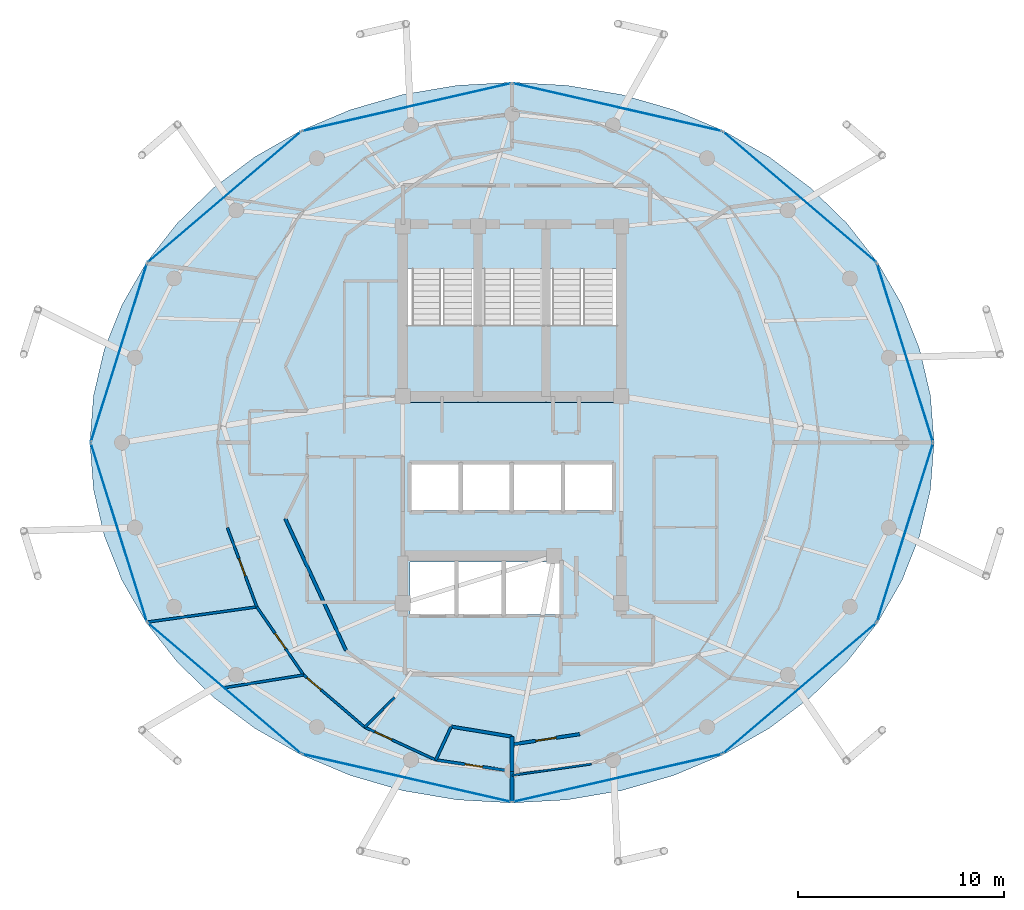
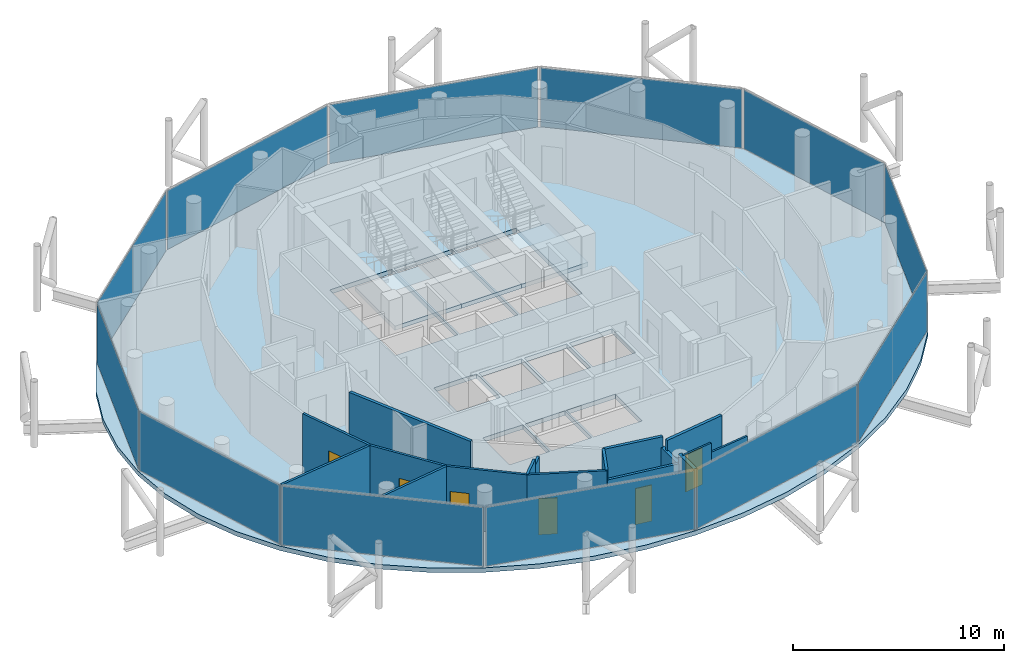
# One storey, part 19 of 24: 17 walls, 12 plates, 6 doors, 4 slabs, 6 openings, 15 elements without a shape of their own.
"""IFC4 building model written with IfcOpenShell, lengths in metres."""

import ifcopenshell
import ifcopenshell.guid

model = None  # the IFC model being written
_history = None  # IfcOwnerHistory: only IFC2X3 demands one
_inside = {}  # id of a spatial element -> (the spatial element, [elements in it])
_under = {}  # id of a project, library or spatial element -> (it, [spatial elements below it])
_declared = {}  # id of a project -> (the project, [libraries it declares])
_typed = {}  # id of a type object -> (the type object, [elements of that type])
_made_of = {}  # id of a material, layer set ... -> (it, [elements and type objects made of it])


def new_model(schema):
    """Start an empty IFC model of exactly this schema.

    Asked for "IFC4X3", IfcOpenShell would pick the latest addendum, in which some entities
    have other attributes; the version numbers below select the first issue.
    IFC2X3 requires an IfcOwnerHistory on every rooted entity: one is made here for all.
    """
    global model, _history
    if schema == "IFC4X3":
        model = ifcopenshell.file(schema_version=(4, 3, 0, 0))
    else:
        model = ifcopenshell.file(schema=schema)
    _inside.clear()
    _under.clear()
    _declared.clear()
    _typed.clear()
    _made_of.clear()
    _history = None
    if model.schema == "IFC2X3":
        org = make("IfcOrganization", Name="unknown")
        user = make(
            "IfcPersonAndOrganization",
            ThePerson=make("IfcPerson", FamilyName="unknown"),
            TheOrganization=org,
        )
        app = make(
            "IfcApplication",
            ApplicationDeveloper=org,
            Version="unknown",
            ApplicationFullName="unknown",
            ApplicationIdentifier="unknown",
        )
        _history = make(
            "IfcOwnerHistory",
            OwningUser=user,
            OwningApplication=app,
            ChangeAction="ADDED",
            CreationDate=0,
        )
    return model


def make(cls, **values):
    """One entity of the class cls with the attributes given. An attribute that is None is left unset."""
    return model.create_entity(
        cls, **{name: value for name, value in values.items() if value is not None}
    )


def rooted(cls, **values):
    """An entity with a GlobalId (a new one), such as an element, a storey or a relation."""
    return make(cls, GlobalId=ifcopenshell.guid.new(), OwnerHistory=_history, **values)


def si_unit(unit_type, name, prefix=None):
    """IfcSIUnit, for example si_unit("LENGTHUNIT", "METRE", prefix="MILLI")."""
    return make("IfcSIUnit", UnitType=unit_type, Prefix=prefix, Name=name)


def assignment(units):
    """IfcUnitAssignment: the units of a project."""
    return None if units is None else make("IfcUnitAssignment", Units=units)


def point(xyz):
    """IfcCartesianPoint."""
    return None if xyz is None else make("IfcCartesianPoint", Coordinates=xyz)


def direction(xyz):
    """IfcDirection."""
    return None if xyz is None else make("IfcDirection", DirectionRatios=xyz)


def frame(location, z_axis=None, x_axis=None):
    """IfcAxis2Placement3D, a coordinate frame: its origin and axes. An axis left out is left unset."""
    return make(
        "IfcAxis2Placement3D",
        Location=point(location),
        Axis=direction(z_axis),
        RefDirection=direction(x_axis),
    )


def frame_2d(location, x_axis=None):
    """IfcAxis2Placement2D, a coordinate frame in the plane: its origin and x axis."""
    return make(
        "IfcAxis2Placement2D", Location=point(location), RefDirection=direction(x_axis)
    )


def origin():
    """The frame at (0, 0, 0) with its axes left unset."""
    return frame((0.0, 0.0, 0.0))


def origin_2d():
    """The frame at (0, 0) in the plane with its x axis left unset."""
    return frame_2d((0.0, 0.0))


def place(relative_to, where):
    """IfcLocalPlacement: puts the frame where relative to a parent placement (None: the world)."""
    return make(
        "IfcLocalPlacement", PlacementRelTo=relative_to, RelativePlacement=where
    )


def context(
    kind, dimensions, precision=None, world=None, true_north=None, identifier=None
):
    """IfcGeometricRepresentationContext, for example the 3D "Model" context."""
    return make(
        "IfcGeometricRepresentationContext",
        ContextIdentifier=identifier,
        ContextType=kind,
        CoordinateSpaceDimension=dimensions,
        Precision=precision,
        WorldCoordinateSystem=world,
        TrueNorth=true_north,
    )


def subcontext(parent, identifier, kind, view, scale=None):
    """IfcGeometricRepresentationSubContext, for example "Body" below "Model"."""
    return make(
        "IfcGeometricRepresentationSubContext",
        ContextIdentifier=identifier,
        ContextType=kind,
        ParentContext=parent,
        TargetScale=scale,
        TargetView=view,
    )


def project(units=None, contexts=None):
    """IfcProject with its units and contexts."""
    return rooted(
        "IfcProject",
        Name="project",
        RepresentationContexts=contexts,
        UnitsInContext=assignment(units),
    )


def spatial(cls, under=None, at=None, **own):
    """A site, building, storey or space (cls), placed at a placement, below another one or the project."""
    s = rooted(cls, ObjectPlacement=at, **own)
    if under is not None:
        _under.setdefault(under.id(), (under, []))[1].append(s)
    return s


def polyline(points):
    """IfcPolyline through the points."""
    return make("IfcPolyline", Points=[point(p) for p in points])


def profile(cls, at=None, kind="AREA", **sizes):
    """A parametric profile (cls). Its sizes go by their IFC names, for example OverallWidth=200.0."""
    return make(cls, ProfileType=kind, Position=at, **sizes)


def rectangle(**sizes):
    """IfcRectangleProfileDef."""
    return profile("IfcRectangleProfileDef", **sizes)


def outline(outer, holes=None, kind="AREA"):
    """IfcArbitraryClosedProfileDef: a profile drawn as a closed curve; with holes, ...WithVoids."""
    if holes is None:
        return make("IfcArbitraryClosedProfileDef", ProfileType=kind, OuterCurve=outer)
    return make(
        "IfcArbitraryProfileDefWithVoids",
        ProfileType=kind,
        OuterCurve=outer,
        InnerCurves=holes,
    )


def extrude(swept, where, along, depth):
    """IfcExtrudedAreaSolid: the profile swept, set in the frame where, extruded along a direction by depth."""
    return make(
        "IfcExtrudedAreaSolid",
        SweptArea=swept,
        Position=where,
        ExtrudedDirection=direction(along),
        Depth=depth,
    )


def shape(context_of_items, identifier, shape_type, items):
    """IfcShapeRepresentation: the items that make up one representation, for example the "Body"."""
    return make(
        "IfcShapeRepresentation",
        ContextOfItems=context_of_items,
        RepresentationIdentifier=identifier,
        RepresentationType=shape_type,
        Items=items,
    )


def material(Name=None, Category=None):
    """IfcMaterial."""
    return make("IfcMaterial", Name=Name, Category=Category)


def layer(
    of_material, thickness, ventilated=None, Name=None, Category=None, Priority=None
):
    """IfcMaterialLayer: one layer of a wall or slab, of a material (None: an air gap)."""
    return make(
        "IfcMaterialLayer",
        Material=of_material,
        LayerThickness=thickness,
        IsVentilated=ventilated,
        Name=Name,
        Category=Category,
        Priority=Priority,
    )


def layer_set(layers, Name=None):
    """IfcMaterialLayerSet."""
    return make("IfcMaterialLayerSet", MaterialLayers=layers, LayerSetName=Name)


def made_of(thing, what):
    """Note that an element or type object is made of a material, layer set ...; save() writes the relation."""
    if what is not None:
        _made_of.setdefault(what.id(), (what, []))[1].append(thing)
    return thing


def type_object(cls, material=None, **own):
    """A type object (cls), such as IfcWallType, which elements share."""
    return made_of(rooted(cls, **own), material)


def element(
    cls,
    number,
    at=None,
    inside=None,
    cuts=None,
    type_object=None,
    material=None,
    context=None,
    identifier="Body",
    shape_type=None,
    held_by="IfcProductDefinitionShape",
    body=None,
    shapes=None,
    **own,
):
    """One element of the class cls, such as IfcWall. Its Tag is "e" and its number.

    at: its placement. inside: the storey or other place that contains it. cuts: it is an
    opening in that element (IfcRelVoidsElement). A single representation is given by context,
    identifier, shape_type and body (its items); several are given by shapes. held_by: the class
    of the entity that holds the representations. save() writes the other relations.
    """
    e = rooted(cls, Tag="e%d" % number, ObjectPlacement=at, **own)
    if body is not None:
        shapes = [shape(context, identifier, shape_type, body)]
    if shapes is not None:
        e.Representation = make(held_by, Representations=shapes)
    if inside is not None:
        _inside.setdefault(inside.id(), (inside, []))[1].append(e)
    if cuts is not None:
        rooted(
            "IfcRelVoidsElement", RelatingBuildingElement=cuts, RelatedOpeningElement=e
        )
    if type_object is not None:
        _typed.setdefault(type_object.id(), (type_object, []))[1].append(e)
    return made_of(e, material)


def fill(opening, filler):
    """IfcRelFillsElement: the door or window that sits in an opening."""
    return rooted(
        "IfcRelFillsElement",
        RelatingOpeningElement=opening,
        RelatedBuildingElement=filler,
    )


def aggregate(whole, parts):
    """IfcRelAggregates: a whole, such as a stair, and the parts it consists of."""
    return rooted("IfcRelAggregates", RelatingObject=whole, RelatedObjects=parts)


def save(model, path):
    """Write the relations noted so far, then the file.

    IfcRelAggregates (storeys below a building ...), IfcRelContainedInSpatialStructure (elements
    in a storey), IfcRelDefinesByType, IfcRelAssociatesMaterial and IfcRelDeclares: one each for
    every whole, place, type object, material and project.
    """
    for whole, parts in _under.values():
        aggregate(whole, parts)
    for where, things in _inside.values():
        rooted(
            "IfcRelContainedInSpatialStructure",
            RelatedElements=things,
            RelatingStructure=where,
        )
    for kind, things in _typed.values():
        rooted("IfcRelDefinesByType", RelatedObjects=things, RelatingType=kind)
    for what, things in _made_of.values():
        rooted("IfcRelAssociatesMaterial", RelatedObjects=things, RelatingMaterial=what)
    for by, libraries in _declared.values():
        rooted("IfcRelDeclares", RelatingContext=by, RelatedDefinitions=libraries)
    model.write(path)


model = new_model("IFC4")

# Units and contexts
model_context = context("Model", 3, precision=1e-05, world=origin(), true_north=direction((0.0, 1.0)))
body_context = subcontext(model_context, "Body", "Model", "MODEL_VIEW")
ifc_project = project(units=[si_unit("LENGTHUNIT", "METRE"), si_unit("AREAUNIT", "SQUARE_METRE"), si_unit("VOLUMEUNIT", "CUBIC_METRE"), si_unit("PLANEANGLEUNIT", "RADIAN"), si_unit("MASSUNIT", "GRAM", prefix="KILO")], contexts=[model_context])

# Site, building, storey
site_placement = place(None, origin())
site = spatial("IfcSite", under=ifc_project, at=site_placement, CompositionType="ELEMENT")
building_placement = place(site_placement, origin())
building = spatial("IfcBuilding", under=site, at=building_placement, Name="Nuhasar Tower", CompositionType="ELEMENT")
storey_placement = place(building_placement, frame((0.0, 0.0, 270.800048828125)))
storey = spatial("IfcBuildingStorey", under=building, at=storey_placement, Name="L67", CompositionType="ELEMENT", Elevation=270.800048828125)

# Curtain wall, plate
ifc_material_1 = material(Name="Aluminium 6063-T6", Category="aluminium")
ifc_layer_1 = layer(ifc_material_1, 0.18994140625)
ifc_layer_set_1 = layer_set([ifc_layer_1], Name="Aluminium 6063-T6")
curtain_wall_type = type_object("IfcCurtainWallType", Name="CW-Z4-PEN", PredefinedType="NOTDEFINED", material=ifc_layer_set_1)
curtain_wall_1_placement = place(storey_placement, origin())
curtain_wall_1 = element("IfcCurtainWall", 1, at=curtain_wall_1_placement, inside=storey, type_object=curtain_wall_type, Name="L67 Unitised Curtain Wall 01", PredefinedType="NOTDEFINED")
ifc_material_2 = material(Name="Glass Double Low-E", Category="glass")
ifc_layer_2 = layer(ifc_material_2, 0.028076171875)
ifc_layer_set_2 = layer_set([ifc_layer_2], Name="Glass Double Low-E")
plate_type = type_object("IfcPlateType", Name="CW-PANEL-GLZ", PredefinedType="CURTAIN_PANEL", material=ifc_layer_set_2)
plate_1_placement = place(storey_placement, frame((58.089599609375, 31.1650390625, 0.06005859375), z_axis=(0.0, 0.0, 1.0), x_axis=(-0.299556614146, 0.954078526601, 0.0)))
plate_1 = element("IfcPlate", 2, at=plate_1_placement, type_object=plate_type, Name="CW-Z4 panel 1.1", PredefinedType="CURTAIN_PANEL", context=body_context, shape_type="SweptSolid", body=[
    extrude(rectangle(XDim=9.0302734375, YDim=0.028076171875, at=origin_2d()), origin(), (0.0, 0.0, 1.0), 3.419921875),
])
aggregate(curtain_wall_1, [plate_1])

curtain_wall_2_placement = place(storey_placement, origin())
curtain_wall_2 = element("IfcCurtainWall", 3, at=curtain_wall_2_placement, inside=storey, type_object=curtain_wall_type, Name="L67 Unitised Curtain Wall 02", PredefinedType="NOTDEFINED")
plate_2_placement = place(storey_placement, frame((52.974609375, 38.7255859375, 0.06005859375), z_axis=(0.0, 0.0, 1.0), x_axis=(-0.760667252327, 0.649141996205, 0.0)))
plate_2 = element("IfcPlate", 4, at=plate_2_placement, type_object=plate_type, Name="CW-Z4 panel 1.1", PredefinedType="CURTAIN_PANEL", context=body_context, shape_type="SweptSolid", body=[
    extrude(rectangle(XDim=9.725341796875, YDim=0.028076171875, at=origin_2d()), origin(), (0.0, 0.0, 1.0), 3.419921875),
])
aggregate(curtain_wall_2, [plate_2])

curtain_wall_3_placement = place(storey_placement, origin())
curtain_wall_3 = element("IfcCurtainWall", 5, at=curtain_wall_3_placement, inside=storey, type_object=curtain_wall_type, Name="L67 Unitised Curtain Wall 03", PredefinedType="NOTDEFINED")
plate_3_placement = place(storey_placement, frame((44.114990234375, 43.090576171875, 0.06005859375), z_axis=(0.0, 0.0, 1.0), x_axis=(-0.97484371891, 0.222889487645, 0.0)))
plate_3 = element("IfcPlate", 6, at=plate_3_placement, type_object=plate_type, Name="CW-Z4 panel 1.1", PredefinedType="CURTAIN_PANEL", context=body_context, shape_type="SweptSolid", body=[
    extrude(rectangle(XDim=10.3740234375, YDim=0.028076171875, at=origin_2d()), origin(), (0.0, 0.0, 1.0), 3.419921875),
])
aggregate(curtain_wall_3, [plate_3])

curtain_wall_4_placement = place(storey_placement, origin())
curtain_wall_4 = element("IfcCurtainWall", 7, at=curtain_wall_4_placement, inside=storey, type_object=curtain_wall_type, Name="L67 Unitised Curtain Wall 04", PredefinedType="NOTDEFINED")
plate_4_placement = place(storey_placement, frame((33.885009765625, 43.090576171875, 0.06005859375), z_axis=(0.0, 0.0, 1.0), x_axis=(-0.97484371891, -0.222889487645, 0.0)))
plate_4 = element("IfcPlate", 8, at=plate_4_placement, type_object=plate_type, Name="CW-Z4 panel 1.1", PredefinedType="CURTAIN_PANEL", context=body_context, shape_type="SweptSolid", body=[
    extrude(rectangle(XDim=10.3740234375, YDim=0.028076171875, at=origin_2d()), origin(), (0.0, 0.0, 1.0), 3.419921875),
])
aggregate(curtain_wall_4, [plate_4])

curtain_wall_5_placement = place(storey_placement, origin())
curtain_wall_5 = element("IfcCurtainWall", 9, at=curtain_wall_5_placement, inside=storey, type_object=curtain_wall_type, Name="L67 Unitised Curtain Wall 05", PredefinedType="NOTDEFINED")
plate_5_placement = place(storey_placement, frame((25.025390625, 38.7255859375, 0.06005859375), z_axis=(0.0, 0.0, 1.0), x_axis=(-0.760667252327, -0.649141996205, 0.0)))
plate_5 = element("IfcPlate", 10, at=plate_5_placement, type_object=plate_type, Name="CW-Z4 panel 1.1", PredefinedType="CURTAIN_PANEL", context=body_context, shape_type="SweptSolid", body=[
    extrude(rectangle(XDim=9.725341796875, YDim=0.028076171875, at=origin_2d()), origin(), (0.0, 0.0, 1.0), 3.419921875),
])
aggregate(curtain_wall_5, [plate_5])

curtain_wall_6_placement = place(storey_placement, origin())
curtain_wall_6 = element("IfcCurtainWall", 11, at=curtain_wall_6_placement, inside=storey, type_object=curtain_wall_type, Name="L67 Unitised Curtain Wall 06", PredefinedType="NOTDEFINED")
plate_6_placement = place(storey_placement, frame((19.910400390625, 31.1650390625, 0.06005859375), z_axis=(0.0, 0.0, 1.0), x_axis=(-0.299556614146, -0.954078526601, 0.0)))
plate_6 = element("IfcPlate", 12, at=plate_6_placement, type_object=plate_type, Name="CW-Z4 panel 1.1", PredefinedType="CURTAIN_PANEL", context=body_context, shape_type="SweptSolid", body=[
    extrude(rectangle(XDim=9.0302734375, YDim=0.028076171875, at=origin_2d()), origin(), (0.0, 0.0, 1.0), 3.419921875),
])
aggregate(curtain_wall_6, [plate_6])

curtain_wall_7_placement = place(storey_placement, origin())
curtain_wall_7 = element("IfcCurtainWall", 13, at=curtain_wall_7_placement, inside=storey, type_object=curtain_wall_type, Name="L67 Unitised Curtain Wall 07", PredefinedType="NOTDEFINED")
plate_7_placement = place(storey_placement, frame((19.910400390625, 22.43505859375, 0.06005859375), z_axis=(0.0, 0.0, 1.0), x_axis=(0.299556614146, -0.954078526601, 0.0)))
plate_7 = element("IfcPlate", 14, at=plate_7_placement, type_object=plate_type, Name="CW-Z4 panel 1.1", PredefinedType="CURTAIN_PANEL", context=body_context, shape_type="SweptSolid", body=[
    extrude(rectangle(XDim=9.0302734375, YDim=0.028076171875, at=origin_2d()), origin(), (0.0, 0.0, 1.0), 3.419921875),
])
aggregate(curtain_wall_7, [plate_7])

curtain_wall_8_placement = place(storey_placement, origin())
curtain_wall_8 = element("IfcCurtainWall", 15, at=curtain_wall_8_placement, inside=storey, type_object=curtain_wall_type, Name="L67 Unitised Curtain Wall 08", PredefinedType="NOTDEFINED")
plate_8_placement = place(storey_placement, frame((25.025390625, 14.87451171875, 0.06005859375), z_axis=(0.0, 0.0, 1.0), x_axis=(0.760667252327, -0.649141996205, 0.0)))
plate_8 = element("IfcPlate", 16, at=plate_8_placement, type_object=plate_type, Name="CW-Z4 panel 1.1", PredefinedType="CURTAIN_PANEL", context=body_context, shape_type="SweptSolid", body=[
    extrude(rectangle(XDim=9.725341796875, YDim=0.028076171875, at=origin_2d()), origin(), (0.0, 0.0, 1.0), 3.419921875),
])
aggregate(curtain_wall_8, [plate_8])

curtain_wall_9_placement = place(storey_placement, origin())
curtain_wall_9 = element("IfcCurtainWall", 17, at=curtain_wall_9_placement, inside=storey, type_object=curtain_wall_type, Name="L67 Unitised Curtain Wall 09", PredefinedType="NOTDEFINED")
plate_9_placement = place(storey_placement, frame((33.885009765625, 10.509521484375, 0.06005859375), z_axis=(0.0, 0.0, 1.0), x_axis=(0.97484371891, -0.222889487645, 0.0)))
plate_9 = element("IfcPlate", 18, at=plate_9_placement, type_object=plate_type, Name="CW-Z4 panel 1.1", PredefinedType="CURTAIN_PANEL", context=body_context, shape_type="SweptSolid", body=[
    extrude(rectangle(XDim=10.3740234375, YDim=0.028076171875, at=origin_2d()), origin(), (0.0, 0.0, 1.0), 3.419921875),
])
aggregate(curtain_wall_9, [plate_9])

curtain_wall_10_placement = place(storey_placement, origin())
curtain_wall_10 = element("IfcCurtainWall", 19, at=curtain_wall_10_placement, inside=storey, type_object=curtain_wall_type, Name="L67 Unitised Curtain Wall 10", PredefinedType="NOTDEFINED")
plate_10_placement = place(storey_placement, frame((44.114990234375, 10.509521484375, 0.06005859375), z_axis=(0.0, 0.0, 1.0), x_axis=(0.97484371891, 0.222889487645, 0.0)))
plate_10 = element("IfcPlate", 20, at=plate_10_placement, type_object=plate_type, Name="CW-Z4 panel 1.1", PredefinedType="CURTAIN_PANEL", context=body_context, shape_type="SweptSolid", body=[
    extrude(rectangle(XDim=10.3740234375, YDim=0.028076171875, at=origin_2d()), origin(), (0.0, 0.0, 1.0), 3.419921875),
])
aggregate(curtain_wall_10, [plate_10])

curtain_wall_11_placement = place(storey_placement, origin())
curtain_wall_11 = element("IfcCurtainWall", 21, at=curtain_wall_11_placement, inside=storey, type_object=curtain_wall_type, Name="L67 Unitised Curtain Wall 11", PredefinedType="NOTDEFINED")
plate_11_placement = place(storey_placement, frame((52.974609375, 14.87451171875, 0.06005859375), z_axis=(0.0, 0.0, 1.0), x_axis=(0.760667252327, 0.649141996205, 0.0)))
plate_11 = element("IfcPlate", 22, at=plate_11_placement, type_object=plate_type, Name="CW-Z4 panel 1.1", PredefinedType="CURTAIN_PANEL", context=body_context, shape_type="SweptSolid", body=[
    extrude(rectangle(XDim=9.725341796875, YDim=0.028076171875, at=origin_2d()), origin(), (0.0, 0.0, 1.0), 3.419921875),
])
aggregate(curtain_wall_11, [plate_11])

curtain_wall_12_placement = place(storey_placement, origin())
curtain_wall_12 = element("IfcCurtainWall", 23, at=curtain_wall_12_placement, inside=storey, type_object=curtain_wall_type, Name="L67 Unitised Curtain Wall 12", PredefinedType="NOTDEFINED")
plate_12_placement = place(storey_placement, frame((58.089599609375, 22.43505859375, 0.06005859375), z_axis=(0.0, 0.0, 1.0), x_axis=(0.299556614146, 0.954078526601, 0.0)))
plate_12 = element("IfcPlate", 24, at=plate_12_placement, type_object=plate_type, Name="CW-Z4 panel 1.1", PredefinedType="CURTAIN_PANEL", context=body_context, shape_type="SweptSolid", body=[
    extrude(rectangle(XDim=9.0302734375, YDim=0.028076171875, at=origin_2d()), origin(), (0.0, 0.0, 1.0), 3.419921875),
])
aggregate(curtain_wall_12, [plate_12])

# Stair, slab
ifc_material_3 = material(Name="Concrete C45/55", Category="concrete")
stair_type_1 = type_object("IfcStairType", Name="STR-ST-01-2F-22R-1727", PredefinedType="HALF_TURN_STAIR", material=ifc_material_3)
stair_1_placement = place(storey_placement, origin())
stair_1 = element("IfcStair", 25, at=stair_1_placement, inside=storey, type_object=stair_type_1, Name="L67 Exit Stair ST-01", PredefinedType="HALF_TURN_STAIR")
ifc_layer_3 = layer(ifc_material_3, 0.239990234375)
ifc_layer_set_3 = layer_set([ifc_layer_3], Name="Concrete C45/55")
slab_type_1 = type_object("IfcSlabType", Name="SLB-STAIR-LND-240", PredefinedType="LANDING", material=ifc_layer_set_3)
slab_1_placement = place(storey_placement, frame((0.0, 0.0, 1.659912109375)))
slab_1 = element("IfcSlab", 26, at=slab_1_placement, type_object=slab_type_1, Name="ST-01 landing 1", PredefinedType="LANDING", context=body_context, shape_type="SweptSolid", body=[
    extrude(outline(polyline([(33.699951171875, 28.75), (37.35009765625, 28.75), (37.35009765625, 32.52001953125), (33.699951171875, 32.52001953125), (33.699951171875, 28.75)])), origin(), (0.0, 0.0, 1.0), 0.239990234375),
])
aggregate(stair_1, [slab_1])

stair_type_2 = type_object("IfcStairType", Name="STR-ST-03-2F-22R-1727", PredefinedType="HALF_TURN_STAIR", material=ifc_material_3)
stair_2_placement = place(storey_placement, origin())
stair_2 = element("IfcStair", 27, at=stair_2_placement, inside=storey, type_object=stair_type_2, Name="L67 Exit Stair ST-03", PredefinedType="HALF_TURN_STAIR")
slab_2_placement = place(storey_placement, frame((0.0, 0.0, 1.659912109375)))
slab_2 = element("IfcSlab", 28, at=slab_2_placement, type_object=slab_type_1, Name="ST-03 landing 1", PredefinedType="LANDING", context=body_context, shape_type="SweptSolid", body=[
    extrude(outline(polyline([(37.35009765625, 28.75), (40.64990234375, 28.75), (40.64990234375, 32.52001953125), (37.35009765625, 32.52001953125), (37.35009765625, 28.75)])), origin(), (0.0, 0.0, 1.0), 0.239990234375),
])
aggregate(stair_2, [slab_2])

stair_type_3 = type_object("IfcStairType", Name="STR-ST-02-2F-22R-1727", PredefinedType="HALF_TURN_STAIR", material=ifc_material_3)
stair_3_placement = place(storey_placement, origin())
stair_3 = element("IfcStair", 29, at=stair_3_placement, inside=storey, type_object=stair_type_3, Name="L67 Exit Stair ST-02", PredefinedType="HALF_TURN_STAIR")
slab_3_placement = place(storey_placement, frame((0.0, 0.0, 1.659912109375)))
slab_3 = element("IfcSlab", 30, at=slab_3_placement, type_object=slab_type_1, Name="ST-02 landing 1", PredefinedType="LANDING", context=body_context, shape_type="SweptSolid", body=[
    extrude(outline(polyline([(40.64990234375, 28.75), (44.300048828125, 28.75), (44.300048828125, 32.52001953125), (40.64990234375, 32.52001953125), (40.64990234375, 28.75)])), origin(), (0.0, 0.0, 1.0), 0.239990234375),
])
aggregate(stair_3, [slab_3])

# Slab
ifc_material_4 = material(Name="Concrete C50/60", Category="concrete")
ifc_layer_4 = layer(ifc_material_4, 0.260009765625)
ifc_layer_set_4 = layer_set([ifc_layer_4], Name="Concrete C50/60")
slab_type_2 = type_object("IfcSlabType", Name="SLB-Z1A-260", PredefinedType="FLOOR", material=ifc_layer_set_4)
slab_4_placement = place(storey_placement, frame((0.0, 0.0, -0.260009765625)))
element("IfcSlab", 31, at=slab_4_placement, inside=storey, type_object=slab_type_2, Name="L67 Structural Slab", PredefinedType="FLOOR", context=body_context, shape_type="SweptSolid", body=[
    extrude(outline(polyline([(59.5, 26.800048828125), (59.324951171875, 29.083984375), (58.801025390625, 31.3291015625), (57.93994140625, 33.4970703125), (56.75390625, 35.550048828125), (55.263916015625, 37.452880859375), (53.49609375, 39.174072265625), (51.47998046875, 40.68408203125), (49.25, 41.955078125), (46.844970703125, 42.968017578125), (44.305908203125, 43.7041015625), (41.676025390625, 44.14990234375), (39.0, 44.300048828125), (36.323974609375, 44.14990234375), (33.694091796875, 43.7041015625), (31.155029296875, 42.968017578125), (28.75, 41.955078125), (26.52001953125, 40.68408203125), (24.50390625, 39.174072265625), (22.736083984375, 37.452880859375), (21.24609375, 35.550048828125), (20.06005859375, 33.4970703125), (19.198974609375, 31.3291015625), (18.675048828125, 29.083984375), (18.5, 26.800048828125), (18.675048828125, 24.51611328125), (19.198974609375, 22.27099609375), (20.06005859375, 20.10302734375), (21.24609375, 18.050048828125), (22.736083984375, 16.14697265625), (24.50390625, 14.426025390625), (26.52001953125, 12.916015625), (28.75, 11.64501953125), (31.155029296875, 10.632080078125), (33.694091796875, 9.89599609375), (36.323974609375, 9.449951171875), (39.0, 9.300048828125), (41.676025390625, 9.449951171875), (44.305908203125, 9.89599609375), (46.844970703125, 10.632080078125), (49.25, 11.64501953125), (51.47998046875, 12.916015625), (53.49609375, 14.426025390625), (55.263916015625, 16.14697265625), (56.75390625, 18.050048828125), (57.93994140625, 20.10302734375), (58.801025390625, 22.27099609375), (59.324951171875, 24.51611328125), (59.5, 26.800048828125)]), holes=[polyline([(33.8798828125, 35.25), (37.300048828125, 35.25), (37.300048828125, 29.0), (33.8798828125, 29.0), (33.8798828125, 35.25)]), polyline([(37.39990234375, 35.25), (40.60009765625, 35.25), (40.60009765625, 29.0), (37.39990234375, 29.0), (37.39990234375, 35.25)]), polyline([(40.699951171875, 35.25), (44.1201171875, 35.25), (44.1201171875, 29.0), (40.699951171875, 29.0), (40.699951171875, 35.25)]), polyline([(34.10009765625, 25.75), (36.43994140625, 25.75), (36.43994140625, 23.5), (34.10009765625, 23.5), (34.10009765625, 25.75)]), polyline([(36.580078125, 25.75), (38.919921875, 25.75), (38.919921875, 23.5), (36.580078125, 23.5), (36.580078125, 25.75)]), polyline([(39.06005859375, 25.75), (41.39990234375, 25.75), (41.39990234375, 23.5), (39.06005859375, 23.5), (39.06005859375, 25.75)]), polyline([(41.5400390625, 25.75), (43.8798828125, 25.75), (43.8798828125, 23.5), (41.5400390625, 23.5), (41.5400390625, 25.75)]), polyline([(34.050048828125, 21.0), (36.25, 21.0), (36.25, 18.449951171875), (34.050048828125, 18.449951171875), (34.050048828125, 21.0)]), polyline([(36.35009765625, 21.0), (38.550048828125, 21.0), (38.550048828125, 18.449951171875), (36.35009765625, 18.449951171875), (36.35009765625, 21.0)]), polyline([(38.64990234375, 21.0), (41.320068359375, 21.0), (41.320068359375, 18.449951171875), (38.64990234375, 18.449951171875), (38.64990234375, 21.0)])]), origin(), (0.0, 0.0, 1.0), 0.260009765625),
])

# Wall, opening, door
ifc_material_5 = material(Name="Gypsum Board", Category="gypsum")
ifc_layer_5 = layer(ifc_material_5, 0.159912109375)
ifc_layer_set_5 = layer_set([ifc_layer_5], Name="Gypsum Board")
wall_type_1 = type_object("IfcWallType", Name="WL-CORR-160", PredefinedType="PARTITIONING", material=ifc_layer_set_5)
wall_1_placement = place(storey_placement, frame((42.2900390625, 12.639892578125, 0.0), z_axis=(0.0, 0.0, 1.0), x_axis=(-0.988648231668, -0.150248707217, 0.0)))
wall_1 = element("IfcWall", 32, at=wall_1_placement, inside=storey, type_object=wall_type_1, Name="L67 Interior Partition CORR-36", PredefinedType="PARTITIONING", context=body_context, shape_type="SweptSolid", body=[
    extrude(rectangle(XDim=3.327880859375, YDim=0.159912109375, at=frame_2d((1.6640625, 0.0))), origin(), (0.0, 0.0, 1.0), 3.5400390625),
])
opening_1_placement = place(wall_1_placement, frame((1.1640625, 0.0, 0.0)))
opening_1 = element("IfcOpeningElement", 33, at=opening_1_placement, cuts=wall_1, Name="Opening DU-02", PredefinedType="OPENING", context=body_context, shape_type="SweptSolid", body=[
    extrude(rectangle(XDim=1.0, YDim=2.14990234375, at=frame_2d((0.5, 1.074951171875))), frame((0.0, 0.08984375, 0.0), z_axis=(0.0, -1.0, 0.0), x_axis=(1.0, 0.0, 0.0)), (0.0, 0.0, 1.0), 0.179931640625),
])
ifc_material_6 = material(Name="Timber Oak", Category="wood")
door_type_1 = type_object("IfcDoorType", Name="DR-FLAT-FD60-1000", OperationType="NOTDEFINED", PredefinedType="DOOR", material=ifc_material_6)
door_1_placement = place(opening_1_placement, origin())
door_1 = element("IfcDoor", 34, at=door_1_placement, inside=storey, type_object=door_type_1, Name="L67 Private Chancellery Office 1 Entrance Door", OperationType="SINGLE_SWING_RIGHT", OverallHeight=2.14990234375, OverallWidth=1.0, PredefinedType="DOOR", context=body_context, shape_type="SweptSolid", body=[
    extrude(rectangle(XDim=1.0, YDim=2.14990234375, at=frame_2d((0.5, 1.074951171875))), frame((0.0, 0.02490234375, 0.0), z_axis=(0.0, -1.0, 0.0), x_axis=(1.0, 0.0, 0.0)), (0.0, 0.0, 1.0), 0.050048828125),
])
fill(opening_1, door_1)

# Walls
wall_2_placement = place(storey_placement, frame((27.988037109375, 23.10400390625, 0.0), z_axis=(0.0, 0.0, 1.0), x_axis=(0.418656179426, -0.908144814128, 0.0)))
element("IfcWall", 35, at=wall_2_placement, inside=storey, type_object=wall_type_1, Name="L67 Interior Partition UWEST-CORE-S1-26", PredefinedType="PARTITIONING", context=body_context, shape_type="SweptSolid", body=[
    extrude(rectangle(XDim=7.048583984375, YDim=0.159912109375, at=frame_2d((3.5244140625, 0.0))), origin(), (0.0, 0.0, 1.0), 3.5400390625),
])
wall_3_placement = place(storey_placement, frame((36.049072265625, 13.007080078125, 0.0), z_axis=(0.0, 0.0, 1.0), x_axis=(0.986650832406, -0.162850038111, 0.0)))
element("IfcWall", 36, at=wall_3_placement, inside=storey, type_object=wall_type_1, Name="L67 Interior Partition UWEST-CORE-S2-34", PredefinedType="PARTITIONING", context=body_context, shape_type="SweptSolid", body=[
    extrude(rectangle(XDim=2.990966796875, YDim=0.159912109375, at=frame_2d((1.49560546875, 0.0))), origin(), (0.0, 0.0, 1.0), 3.5400390625),
])
ifc_layer_6 = layer(ifc_material_1, 0.10009765625)
ifc_layer_set_6 = layer_set([ifc_layer_6], Name="Aluminium 6063-T6")
wall_type_2 = type_object("IfcWallType", Name="WL-MOVABLE-100", PredefinedType="MOVABLE", material=ifc_layer_set_6)
wall_4_placement = place(storey_placement, frame((39.0, 10.639892578125, 0.0), z_axis=(0.0, 0.0, 1.0), x_axis=(0.990014754184, 0.140963777257, 0.0)))
element("IfcWall", 37, at=wall_4_placement, inside=storey, type_object=wall_type_2, Name="L67 Interior Partition UMID5-01-36", PredefinedType="MOVABLE", context=body_context, shape_type="SweptSolid", body=[
    extrude(rectangle(XDim=1.718017578125, YDim=0.10009765625, at=frame_2d((0.85888671875, 0.0))), origin(), (0.0, 0.0, 1.0), 3.5400390625),
])
wall_5_placement = place(storey_placement, frame((40.700927734375, 10.882080078125, 0.0), z_axis=(0.0, 0.0, 1.0), x_axis=(0.989987397141, 0.141155777433, 0.0)))
element("IfcWall", 38, at=wall_5_placement, inside=storey, type_object=wall_type_2, Name="L67 Interior Partition UMID5-01-36", PredefinedType="MOVABLE", context=body_context, shape_type="SweptSolid", body=[
    extrude(rectangle(XDim=2.18798828125, YDim=0.10009765625, at=frame_2d((1.093994140625, 0.0))), origin(), (0.0, 0.0, 1.0), 3.0),
])

# Wall, opening, door
ifc_layer_7 = layer(ifc_material_5, 0.125)
ifc_layer_set_7 = layer_set([ifc_layer_7], Name="Gypsum Board")
wall_type_3 = type_object("IfcWallType", Name="WL-PART-125", PredefinedType="PARTITIONING", material=ifc_layer_set_7)
wall_6_placement = place(storey_placement, frame((35.2958984375, 11.384033203125, 0.0), z_axis=(0.0, 0.0, 1.0), x_axis=(-0.907833398029, 0.419331040377, 0.0)))
wall_6 = element("IfcWall", 39, at=wall_6_placement, inside=storey, type_object=wall_type_3, Name="L67 Interior Partition USM-2-K-32", PredefinedType="PARTITIONING", context=body_context, shape_type="SweptSolid", body=[
    extrude(rectangle(XDim=3.80126953125, YDim=0.125, at=frame_2d((1.900634765625, 0.0))), origin(), (0.0, 0.0, 1.0), 3.5400390625),
])
opening_2_placement = place(wall_6_placement, frame((2.35107421875, 0.0, 0.0)))
opening_2 = element("IfcOpeningElement", 40, at=opening_2_placement, cuts=wall_6, Name="Opening DR-01", PredefinedType="OPENING", context=body_context, shape_type="SweptSolid", body=[
    extrude(rectangle(XDim=0.89990234375, YDim=2.10009765625, at=frame_2d((0.449951171875, 1.050048828125))), frame((0.0, 0.072509765625, 0.0), z_axis=(0.0, -1.0, 0.0), x_axis=(1.0, 0.0, 0.0)), (0.0, 0.0, 1.0), 0.14501953125),
])
door_type_2 = type_object("IfcDoorType", Name="DR-ROOM-900", OperationType="NOTDEFINED", PredefinedType="DOOR", material=ifc_material_6)
door_2_placement = place(opening_2_placement, origin())
door_2 = element("IfcDoor", 41, at=door_2_placement, inside=storey, type_object=door_type_2, Name="L67 South-West Sky Home Kitchen Door", OperationType="SINGLE_SWING_RIGHT", OverallHeight=2.10009765625, OverallWidth=0.89990234375, PredefinedType="DOOR", context=body_context, shape_type="SweptSolid", body=[
    extrude(rectangle(XDim=0.89990234375, YDim=2.10009765625, at=frame_2d((0.449951171875, 1.050048828125))), frame((0.0, 0.02490234375, 0.0), z_axis=(0.0, -1.0, 0.0), x_axis=(1.0, 0.0, 0.0)), (0.0, 0.0, 1.0), 0.050048828125),
])
fill(opening_2, door_2)

# Walls
wall_7_placement = place(storey_placement, frame((33.300048828125, 14.43310546875, 0.0), z_axis=(0.0, 0.0, 1.0), x_axis=(-0.707106781187, -0.707106781187, 0.0)))
element("IfcWall", 42, at=wall_7_placement, inside=storey, type_object=wall_type_3, Name="L67 Interior Partition USI-2-DK", PredefinedType="PARTITIONING", context=body_context, shape_type="SweptSolid", body=[
    extrude(rectangle(XDim=0.762451171875, YDim=0.125, at=frame_2d((0.38134765625, 0.0))), origin(), (0.0, 0.0, 1.0), 3.18505859375),
])
wall_8_placement = place(storey_placement, frame((32.760986328125, 13.89404296875, 0.0), z_axis=(0.0, 0.0, 1.0), x_axis=(-0.707106781187, -0.707106781187, 0.0)))
element("IfcWall", 43, at=wall_8_placement, inside=storey, type_object=wall_type_3, Name="L67 Interior Partition USI-2-DK", PredefinedType="PARTITIONING", context=body_context, shape_type="SweptSolid", body=[
    extrude(rectangle(XDim=1.29541015625, YDim=0.125, at=frame_2d((0.647705078125, 0.0))), origin(), (0.0, 0.0, 1.0), 3.5400390625),
])

# Wall, opening, door
wall_9_placement = place(storey_placement, frame((26.60693359375, 18.820068359375, 0.0), z_axis=(0.0, 0.0, 1.0), x_axis=(-0.348052152542, 0.93747517253, 0.0)))
wall_9 = element("IfcWall", 44, at=wall_9_placement, inside=storey, type_object=wall_type_3, Name="L67 Interior Partition USM-2-D-26", PredefinedType="PARTITIONING", context=body_context, shape_type="SweptSolid", body=[
    extrude(rectangle(XDim=4.10546875, YDim=0.125, at=frame_2d((2.052734375, 0.0))), origin(), (0.0, 0.0, 1.0), 3.5400390625),
])
opening_3_placement = place(wall_9_placement, frame((1.60302734375, 0.0, 0.0)))
opening_3 = element("IfcOpeningElement", 45, at=opening_3_placement, cuts=wall_9, Name="Opening DR-01", PredefinedType="OPENING", context=body_context, shape_type="SweptSolid", body=[
    extrude(rectangle(XDim=0.89990234375, YDim=2.10009765625, at=frame_2d((0.449951171875, 1.050048828125))), frame((0.0, 0.072509765625, 0.0), z_axis=(0.0, -1.0, 0.0), x_axis=(1.0, 0.0, 0.0)), (0.0, 0.0, 1.0), 0.14501953125),
])
door_3_placement = place(opening_3_placement, origin())
door_3 = element("IfcDoor", 46, at=door_3_placement, inside=storey, type_object=door_type_2, Name="L67 South-West Sky Home Living Door", OperationType="SINGLE_SWING_LEFT", OverallHeight=2.10009765625, OverallWidth=0.89990234375, PredefinedType="DOOR", context=body_context, shape_type="SweptSolid", body=[
    extrude(rectangle(XDim=0.89990234375, YDim=2.10009765625, at=frame_2d((0.449951171875, 1.050048828125))), frame((0.0, 0.02490234375, 0.0), z_axis=(0.0, -1.0, 0.0), x_axis=(1.0, 0.0, 0.0)), (0.0, 0.0, 1.0), 0.050048828125),
])
fill(opening_3, door_3)

wall_10_placement = place(storey_placement, frame((28.881103515625, 15.514892578125, 0.0), z_axis=(0.0, 0.0, 1.0), x_axis=(-0.566843860179, 0.823825247354, 0.0)))
wall_10 = element("IfcWall", 47, at=wall_10_placement, inside=storey, type_object=wall_type_3, Name="L67 Interior Partition USM-2-D-28", PredefinedType="PARTITIONING", context=body_context, shape_type="SweptSolid", body=[
    extrude(rectangle(XDim=4.011962890625, YDim=0.125, at=frame_2d((2.005859375, 0.0))), origin(), (0.0, 0.0, 1.0), 3.5400390625),
])
opening_4_placement = place(wall_10_placement, frame((1.555908203125, 0.0, 0.0)))
opening_4 = element("IfcOpeningElement", 48, at=opening_4_placement, cuts=wall_10, Name="Opening DR-01", PredefinedType="OPENING", context=body_context, shape_type="SweptSolid", body=[
    extrude(rectangle(XDim=0.89990234375, YDim=2.10009765625, at=frame_2d((0.449951171875, 1.050048828125))), frame((0.0, 0.072509765625, 0.0), z_axis=(0.0, -1.0, 0.0), x_axis=(1.0, 0.0, 0.0)), (0.0, 0.0, 1.0), 0.14501953125),
])
door_4_placement = place(opening_4_placement, origin())
door_4 = element("IfcDoor", 49, at=door_4_placement, inside=storey, type_object=door_type_2, Name="L67 South-West Sky Home Study Door", OperationType="SINGLE_SWING_RIGHT", OverallHeight=2.10009765625, OverallWidth=0.89990234375, PredefinedType="DOOR", context=body_context, shape_type="SweptSolid", body=[
    extrude(rectangle(XDim=0.89990234375, YDim=2.10009765625, at=frame_2d((0.449951171875, 1.050048828125))), frame((0.0, 0.02490234375, 0.0), z_axis=(0.0, -1.0, 0.0), x_axis=(1.0, 0.0, 0.0)), (0.0, 0.0, 1.0), 0.050048828125),
])
fill(opening_4, door_4)

wall_11_placement = place(storey_placement, frame((31.844970703125, 12.97802734375, 0.0), z_axis=(0.0, 0.0, 1.0), x_axis=(-0.759711404355, 0.650260395606, 0.0)))
wall_11 = element("IfcWall", 50, at=wall_11_placement, inside=storey, type_object=wall_type_3, Name="L67 Interior Partition USM-2-D-30", PredefinedType="PARTITIONING", context=body_context, shape_type="SweptSolid", body=[
    extrude(rectangle(XDim=3.9013671875, YDim=0.125, at=frame_2d((1.95068359375, 0.0))), origin(), (0.0, 0.0, 1.0), 3.5400390625),
])
opening_5_placement = place(wall_11_placement, frame((2.801025390625, 0.0, 0.0)))
opening_5 = element("IfcOpeningElement", 51, at=opening_5_placement, cuts=wall_11, Name="Opening DR-01", PredefinedType="OPENING", context=body_context, shape_type="SweptSolid", body=[
    extrude(rectangle(XDim=0.89990234375, YDim=2.10009765625, at=frame_2d((0.449951171875, 1.050048828125))), frame((0.0, 0.072509765625, 0.0), z_axis=(0.0, -1.0, 0.0), x_axis=(1.0, 0.0, 0.0)), (0.0, 0.0, 1.0), 0.14501953125),
])
door_5_placement = place(opening_5_placement, origin())
door_5 = element("IfcDoor", 52, at=door_5_placement, inside=storey, type_object=door_type_2, Name="L67 South-West Sky Home Master Bedroom Door", OperationType="SINGLE_SWING_RIGHT", OverallHeight=2.10009765625, OverallWidth=0.89990234375, PredefinedType="DOOR", context=body_context, shape_type="SweptSolid", body=[
    extrude(rectangle(XDim=0.89990234375, YDim=2.10009765625, at=frame_2d((0.449951171875, 1.050048828125))), frame((0.0, 0.02490234375, 0.0), z_axis=(0.0, -1.0, 0.0), x_axis=(1.0, 0.0, 0.0)), (0.0, 0.0, 1.0), 0.050048828125),
])
fill(opening_5, door_5)

# Walls
wall_12_placement = place(storey_placement, frame((26.60693359375, 18.820068359375, 0.0), z_axis=(0.0, 0.0, 1.0), x_axis=(-0.990577811837, -0.136951081399, 0.0)))
element("IfcWall", 53, at=wall_12_placement, inside=storey, type_object=wall_type_3, Name="L67 Interior Partition USO-2-B1", PredefinedType="PARTITIONING", context=body_context, shape_type="SweptSolid", body=[
    extrude(rectangle(XDim=5.34619140625, YDim=0.125, at=frame_2d((2.673095703125, 0.0))), origin(), (0.0, 0.0, 1.0), 3.5400390625),
])
wall_13_placement = place(storey_placement, frame((28.881103515625, 15.514892578125, 0.0), z_axis=(0.0, 0.0, 1.0), x_axis=(-0.987326147409, -0.158704374994, 0.0)))
element("IfcWall", 54, at=wall_13_placement, inside=storey, type_object=wall_type_3, Name="L67 Interior Partition USO-2-B2", PredefinedType="PARTITIONING", context=body_context, shape_type="SweptSolid", body=[
    extrude(rectangle(XDim=3.881103515625, YDim=0.125, at=frame_2d((1.9404296875, 0.0))), origin(), (0.0, 0.0, 1.0), 3.5400390625),
])
ifc_material_7 = material(Name="Concrete C40/50 precast", Category="concrete")
ifc_layer_8 = layer(ifc_material_7, 0.199951171875)
ifc_layer_set_8 = layer_set([ifc_layer_8], Name="Concrete C40/50 precast")
wall_type_4 = type_object("IfcWallType", Name="WL-UNIT-200", PredefinedType="PARTITIONING", material=ifc_layer_set_8)
wall_14_placement = place(storey_placement, frame((39.0, 12.52001953125, 0.0), z_axis=(0.0, 0.0, 1.0), x_axis=(0.0, -1.0, 0.0)))
element("IfcWall", 55, at=wall_14_placement, inside=storey, type_object=wall_type_4, Name="L67 Interior Partition URAD-36-SW", PredefinedType="PARTITIONING", context=body_context, shape_type="SweptSolid", body=[
    extrude(rectangle(XDim=1.68994140625, YDim=0.199951171875, at=frame_2d((0.844970703125, 0.0))), origin(), (0.0, 0.0, 1.0), 2.925048828125),
])
wall_15_placement = place(storey_placement, frame((39.0, 10.830078125, 0.0), z_axis=(0.0, 0.0, 1.0), x_axis=(0.0, -1.0, 0.0)))
element("IfcWall", 56, at=wall_15_placement, inside=storey, type_object=wall_type_4, Name="L67 Interior Partition URAD-36-SW", PredefinedType="PARTITIONING", context=body_context, shape_type="SweptSolid", body=[
    extrude(rectangle(XDim=1.455078125, YDim=0.199951171875, at=frame_2d((0.7275390625, 0.0))), origin(), (0.0, 0.0, 1.0), 3.5400390625),
])

# Wall, opening, door
ifc_layer_9 = layer(ifc_material_7, 0.139892578125)
ifc_layer_set_9 = layer_set([ifc_layer_9], Name="Concrete C40/50 precast")
wall_type_5 = type_object("IfcWallType", Name="WL-WET-140", PredefinedType="PARTITIONING", material=ifc_layer_set_9)
wall_16_placement = place(storey_placement, frame((39.0, 10.840087890625, 0.0), z_axis=(0.0, 0.0, 1.0), x_axis=(-0.989388931872, 0.145291229911, 0.0)))
wall_16 = element("IfcWall", 57, at=wall_16_placement, inside=storey, type_object=wall_type_5, Name="L67 Interior Partition USM-2-B-34", PredefinedType="PARTITIONING", context=body_context, shape_type="SweptSolid", body=[
    extrude(rectangle(XDim=3.743896484375, YDim=0.139892578125, at=frame_2d((1.8720703125, 0.0))), origin(), (0.0, 0.0, 1.0), 3.0),
])
opening_6_placement = place(wall_16_placement, frame((1.447021484375, 0.0, 0.0)))
opening_6 = element("IfcOpeningElement", 58, at=opening_6_placement, cuts=wall_16, Name="Opening DB-01", PredefinedType="OPENING", context=body_context, shape_type="SweptSolid", body=[
    extrude(rectangle(XDim=0.85009765625, YDim=2.10009765625, at=frame_2d((0.425048828125, 1.050048828125))), frame((0.0, 0.080078125, 0.0), z_axis=(0.0, -1.0, 0.0), x_axis=(1.0, 0.0, 0.0)), (0.0, 0.0, 1.0), 0.159912109375),
])
door_type_3 = type_object("IfcDoorType", Name="DR-BATH-850", OperationType="NOTDEFINED", PredefinedType="DOOR", material=ifc_material_6)
door_6_placement = place(opening_6_placement, origin())
door_6 = element("IfcDoor", 59, at=door_6_placement, inside=storey, type_object=door_type_3, Name="L67 South-West Sky Home En-Suite Door", OperationType="SINGLE_SWING_LEFT", OverallHeight=2.10009765625, OverallWidth=0.85009765625, PredefinedType="DOOR", context=body_context, shape_type="SweptSolid", body=[
    extrude(rectangle(XDim=0.85009765625, YDim=2.10009765625, at=frame_2d((0.425048828125, 1.050048828125))), frame((0.0, 0.02490234375, 0.0), z_axis=(0.0, -1.0, 0.0), x_axis=(1.0, 0.0, 0.0)), (0.0, 0.0, 1.0), 0.050048828125),
])
fill(opening_6, door_6)

# Wall
wall_17_placement = place(storey_placement, frame((36.049072265625, 13.007080078125, 0.0), z_axis=(0.0, 0.0, 1.0), x_axis=(-0.420934907021, -0.907090846636, 0.0)))
element("IfcWall", 60, at=wall_17_placement, inside=storey, type_object=wall_type_5, Name="L67 Interior Partition USI-2-KB", PredefinedType="PARTITIONING", context=body_context, shape_type="SweptSolid", body=[
    extrude(rectangle(XDim=1.789306640625, YDim=0.139892578125, at=frame_2d((0.89453125, 0.0))), origin(), (0.0, 0.0, 1.0), 3.5400390625),
])

save(model, "model.ifc")
